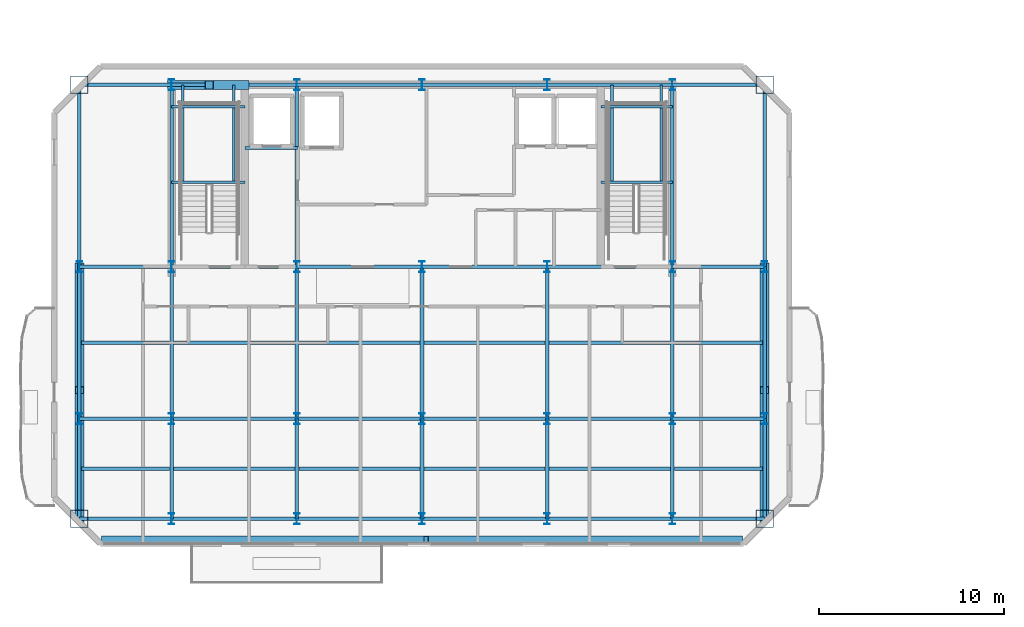
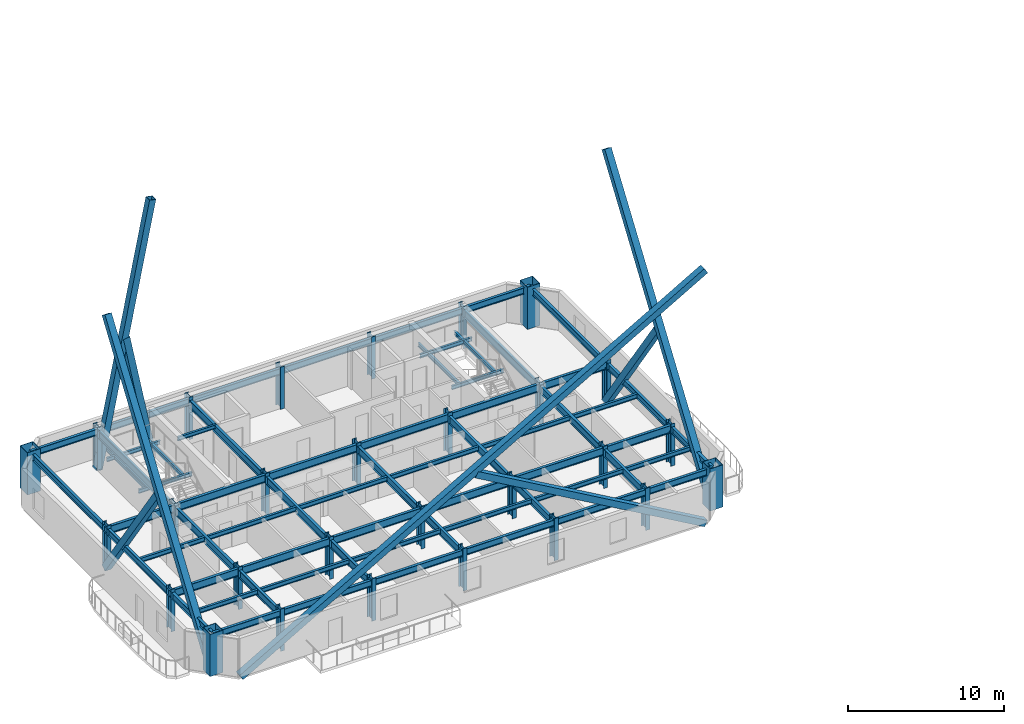
# One storey, part 1 of 9: 64 beams, 28 columns, 8 members.
"""IFC4 building model written with IfcOpenShell, lengths in metres."""

from ifc_helpers import new_model, si_unit, direction, frame, origin, origin_2d, place, context, subcontext, project, spatial, hollow_rectangle, i_section, extrude, material, material_profile, profile_set, type_object, element, save


model = new_model("IFC4")

# Units and contexts
model_context = context("Model", 3, precision=1e-05, world=origin(), true_north=direction((0.0, 1.0)))
body_context = subcontext(model_context, "Body", "Model", "MODEL_VIEW")
ifc_project = project(units=[si_unit("LENGTHUNIT", "METRE"), si_unit("AREAUNIT", "SQUARE_METRE"), si_unit("VOLUMEUNIT", "CUBIC_METRE"), si_unit("PLANEANGLEUNIT", "RADIAN"), si_unit("MASSUNIT", "GRAM", prefix="KILO")], contexts=[model_context])

# Site, building, storey
site_placement = place(None, origin())
site = spatial("IfcSite", under=ifc_project, at=site_placement, CompositionType="ELEMENT")
building_placement = place(site_placement, origin())
building = spatial("IfcBuilding", under=site, at=building_placement, Name="Haevon Station Towers", CompositionType="ELEMENT")
storey_placement = place(building_placement, frame((0.0, 0.0, 239.39990234375)))
storey = spatial("IfcBuildingStorey", under=building, at=storey_placement, Name="L66", CompositionType="ELEMENT", Elevation=239.39990234375)

# Columns
ifc_material_1 = material(Name="Steel S460", Category="steel")
ifc_material_profile_1 = material_profile(ifc_material_1, hollow_rectangle(XDim=0.949951171875, YDim=0.949951171875, WallThickness=0.028076171875, at=origin_2d()), Name="BOX-950x950x28")
ifc_profile_set_1 = profile_set([ifc_material_profile_1], Name="Steel S460")
column_type_1 = type_object("IfcColumnType", Name="COL-MC6", PredefinedType="COLUMN", material=ifc_profile_set_1)
for number, where, z_axis, x_axis, name in (
    (1, (19.02490234375, 24.60009765625, 0.0), (0.0, 0.0, 1.0), (1.0, 0.0, 0.0), "COL-T1-L66-01-01"),
    (2, (19.02490234375, 48.0, 0.0), (0.0, 0.0, 1.0), (1.0, 0.0, 0.0), "COL-T1-L66-01-04"),
    (3, (55.97509765625, 24.60009765625, 0.0), (0.0, 0.0, 1.0), (1.0, 0.0, 0.0), "COL-T1-L66-07-01"),
    (4, (55.97509765625, 48.0, 0.0), (0.0, 0.0, 1.0), (1.0, 0.0, 0.0), "COL-T1-L66-07-04"),
):
    element("IfcColumn", number, at=place(storey_placement, frame(where, z_axis=z_axis, x_axis=x_axis)), inside=storey, type_object=column_type_1, Name=name, PredefinedType="COLUMN", context=body_context, shape_type="SweptSolid", body=[
        extrude(hollow_rectangle(XDim=0.949951171875, YDim=0.949951171875, WallThickness=0.028076171875, at=origin_2d()), origin(), (0.0, 0.0, 1.0), 3.300048828125),
    ])
ifc_material_2 = material(Name="Steel S355", Category="steel")
ifc_material_profile_2 = material_profile(ifc_material_2, i_section(OverallWidth=0.300048828125, OverallDepth=0.60009765625, WebThickness=0.013916015625, FlangeThickness=0.02490234375, at=origin_2d()), Name="H-600x300x14x25")
ifc_profile_set_2 = profile_set([ifc_material_profile_2], Name="Steel S355")
column_type_2 = type_object("IfcColumnType", Name="COL-TW4", PredefinedType="COLUMN", material=ifc_profile_set_2)
for number, where, z_axis, x_axis, name in (
    (5, (19.02490234375, 30.0, 0.0), (0.0, 0.0, 1.0), (1.0, 0.0, 0.0), "COL-T1-L66-01-02"),
    (6, (19.02490234375, 38.199951171875, 0.0), (0.0, 0.0, 1.0), (1.0, 0.0, 0.0), "COL-T1-L66-01-03"),
    (7, (24.0, 24.60009765625, 0.0), (0.0, 0.0, 1.0), (1.0, 0.0, 0.0), "COL-T1-L66-02-01"),
    (8, (24.0, 30.0, 0.0), (0.0, 0.0, 1.0), (1.0, 0.0, 0.0), "COL-T1-L66-02-02"),
    (9, (24.0, 38.199951171875, 0.0), (0.0, 0.0, 1.0), (1.0, 0.0, 0.0), "COL-T1-L66-02-03"),
    (10, (24.0, 48.0, 0.0), (0.0, 0.0, 1.0), (1.0, 0.0, 0.0), "COL-T1-L66-02-04"),
    (11, (30.75, 24.60009765625, 0.0), (0.0, 0.0, 1.0), (1.0, 0.0, 0.0), "COL-T1-L66-03-01"),
    (12, (30.75, 30.0, 0.0), (0.0, 0.0, 1.0), (1.0, 0.0, 0.0), "COL-T1-L66-03-02"),
    (13, (30.75, 38.199951171875, 0.0), (0.0, 0.0, 1.0), (1.0, 0.0, 0.0), "COL-T1-L66-03-03"),
    (14, (30.75, 48.0, 0.0), (0.0, 0.0, 1.0), (1.0, 0.0, 0.0), "COL-T1-L66-03-04"),
    (15, (37.5, 24.60009765625, 0.0), (0.0, 0.0, 1.0), (1.0, 0.0, 0.0), "COL-T1-L66-04-01"),
    (16, (37.5, 30.0, 0.0), (0.0, 0.0, 1.0), (1.0, 0.0, 0.0), "COL-T1-L66-04-02"),
    (17, (37.5, 38.199951171875, 0.0), (0.0, 0.0, 1.0), (1.0, 0.0, 0.0), "COL-T1-L66-04-03"),
    (18, (37.5, 48.0, 0.0), (0.0, 0.0, 1.0), (1.0, 0.0, 0.0), "COL-T1-L66-04-04"),
    (19, (44.25, 24.60009765625, 0.0), (0.0, 0.0, 1.0), (1.0, 0.0, 0.0), "COL-T1-L66-05-01"),
    (20, (44.25, 30.0, 0.0), (0.0, 0.0, 1.0), (1.0, 0.0, 0.0), "COL-T1-L66-05-02"),
    (21, (44.25, 38.199951171875, 0.0), (0.0, 0.0, 1.0), (1.0, 0.0, 0.0), "COL-T1-L66-05-03"),
    (22, (44.25, 48.0, 0.0), (0.0, 0.0, 1.0), (1.0, 0.0, 0.0), "COL-T1-L66-05-04"),
    (23, (51.0, 24.60009765625, 0.0), (0.0, 0.0, 1.0), (1.0, 0.0, 0.0), "COL-T1-L66-06-01"),
    (24, (51.0, 30.0, 0.0), (0.0, 0.0, 1.0), (1.0, 0.0, 0.0), "COL-T1-L66-06-02"),
    (25, (51.0, 38.199951171875, 0.0), (0.0, 0.0, 1.0), (1.0, 0.0, 0.0), "COL-T1-L66-06-03"),
    (26, (51.0, 48.0, 0.0), (0.0, 0.0, 1.0), (1.0, 0.0, 0.0), "COL-T1-L66-06-04"),
    (27, (55.97509765625, 30.0, 0.0), (0.0, 0.0, 1.0), (1.0, 0.0, 0.0), "COL-T1-L66-07-02"),
    (28, (55.97509765625, 38.199951171875, 0.0), (0.0, 0.0, 1.0), (1.0, 0.0, 0.0), "COL-T1-L66-07-03"),
):
    element("IfcColumn", number, at=place(storey_placement, frame(where, z_axis=z_axis, x_axis=x_axis)), inside=storey, type_object=column_type_2, Name=name, PredefinedType="COLUMN", context=body_context, shape_type="SweptSolid", body=[
        extrude(i_section(OverallWidth=0.300048828125, OverallDepth=0.60009765625, WebThickness=0.013916015625, FlangeThickness=0.02490234375, at=origin_2d()), origin(), (0.0, 0.0, 1.0), 3.300048828125),
    ])

# Beams
ifc_material_profile_3 = material_profile(ifc_material_2, i_section(OverallWidth=0.199951171875, OverallDepth=0.60009765625, WebThickness=0.010986328125, FlangeThickness=0.01708984375, at=origin_2d()), Name="H-600x200x11x17")
ifc_profile_set_3 = profile_set([ifc_material_profile_3], Name="Steel S355")
beam_type_1 = type_object("IfcBeamType", Name="BM-G600", PredefinedType="BEAM", material=ifc_profile_set_3)
beam_1_placement = place(storey_placement, frame((19.02490234375, 30.0, 2.75), z_axis=(1.0, 0.0, 0.0), x_axis=(0.0, 1.0, 0.0)))
element("IfcBeam", 29, at=beam_1_placement, inside=storey, type_object=beam_type_1, Name="BM-T1U-L66-02-01", PredefinedType="BEAM", context=body_context, shape_type="SweptSolid", body=[
    extrude(i_section(OverallWidth=0.199951171875, OverallDepth=0.60009765625, WebThickness=0.010986328125, FlangeThickness=0.01708984375, at=origin_2d()), origin(), (0.0, 0.0, 1.0), 4.97509765625),
])
for number, where, z_axis, x_axis, name in (
    (30, (24.0, 30.0, 2.75), (1.0, 0.0, 0.0), (0.0, 1.0, 0.0), "BM-T1U-L66-02-02"),
    (31, (30.75, 30.0, 2.75), (1.0, 0.0, 0.0), (0.0, 1.0, 0.0), "BM-T1U-L66-02-03"),
    (32, (37.5, 30.0, 2.75), (1.0, 0.0, 0.0), (0.0, 1.0, 0.0), "BM-T1U-L66-02-04"),
    (33, (44.25, 30.0, 2.75), (1.0, 0.0, 0.0), (0.0, 1.0, 0.0), "BM-T1U-L66-02-05"),
):
    element("IfcBeam", number, at=place(storey_placement, frame(where, z_axis=z_axis, x_axis=x_axis)), inside=storey, type_object=beam_type_1, Name=name, PredefinedType="BEAM", context=body_context, shape_type="SweptSolid", body=[
        extrude(i_section(OverallWidth=0.199951171875, OverallDepth=0.60009765625, WebThickness=0.010986328125, FlangeThickness=0.01708984375, at=origin_2d()), origin(), (0.0, 0.0, 1.0), 6.75),
    ])
for number, where, z_axis, x_axis, name in (
    (34, (51.0, 30.0, 2.75), (1.0, 0.0, 0.0), (0.0, 1.0, 0.0), "BM-T1U-L66-02-06"),
    (35, (19.02490234375, 38.199951171875, 2.75), (1.0, 0.0, 0.0), (0.0, 1.0, 0.0), "BM-T1U-L66-03-01"),
):
    element("IfcBeam", number, at=place(storey_placement, frame(where, z_axis=z_axis, x_axis=x_axis)), inside=storey, type_object=beam_type_1, Name=name, PredefinedType="BEAM", context=body_context, shape_type="SweptSolid", body=[
        extrude(i_section(OverallWidth=0.199951171875, OverallDepth=0.60009765625, WebThickness=0.010986328125, FlangeThickness=0.01708984375, at=origin_2d()), origin(), (0.0, 0.0, 1.0), 4.97509765625),
    ])
for number, where, z_axis, x_axis, name in (
    (36, (24.0, 38.199951171875, 2.75), (1.0, 0.0, 0.0), (0.0, 1.0, 0.0), "BM-T1U-L66-03-02"),
    (37, (30.75, 38.199951171875, 2.75), (1.0, 0.0, 0.0), (0.0, 1.0, 0.0), "BM-T1U-L66-03-03"),
    (38, (37.5, 38.199951171875, 2.75), (1.0, 0.0, 0.0), (0.0, 1.0, 0.0), "BM-T1U-L66-03-04"),
    (39, (44.25, 38.199951171875, 2.75), (1.0, 0.0, 0.0), (0.0, 1.0, 0.0), "BM-T1U-L66-03-05"),
):
    element("IfcBeam", number, at=place(storey_placement, frame(where, z_axis=z_axis, x_axis=x_axis)), inside=storey, type_object=beam_type_1, Name=name, PredefinedType="BEAM", context=body_context, shape_type="SweptSolid", body=[
        extrude(i_section(OverallWidth=0.199951171875, OverallDepth=0.60009765625, WebThickness=0.010986328125, FlangeThickness=0.01708984375, at=origin_2d()), origin(), (0.0, 0.0, 1.0), 6.75),
    ])
beam_2_placement = place(storey_placement, frame((51.0, 38.199951171875, 2.75), z_axis=(1.0, 0.0, 0.0), x_axis=(0.0, 1.0, 0.0)))
element("IfcBeam", 40, at=beam_2_placement, inside=storey, type_object=beam_type_1, Name="BM-T1U-L66-03-06", PredefinedType="BEAM", context=body_context, shape_type="SweptSolid", body=[
    extrude(i_section(OverallWidth=0.199951171875, OverallDepth=0.60009765625, WebThickness=0.010986328125, FlangeThickness=0.01708984375, at=origin_2d()), origin(), (0.0, 0.0, 1.0), 4.97509765625),
])
beam_3_placement = place(storey_placement, frame((24.0, 24.60009765625, 2.75), z_axis=(0.0, 1.0, 0.0), x_axis=(-1.0, 0.0, 0.0)))
element("IfcBeam", 41, at=beam_3_placement, inside=storey, type_object=beam_type_1, Name="BM-T1V-L66-02-01", PredefinedType="BEAM", context=body_context, shape_type="SweptSolid", body=[
    extrude(i_section(OverallWidth=0.199951171875, OverallDepth=0.60009765625, WebThickness=0.010986328125, FlangeThickness=0.01708984375, at=origin_2d()), origin(), (0.0, 0.0, 1.0), 5.39990234375),
])
beam_4_placement = place(storey_placement, frame((24.0, 30.0, 2.75), z_axis=(0.0, 1.0, 0.0), x_axis=(-1.0, 0.0, 0.0)))
element("IfcBeam", 42, at=beam_4_placement, inside=storey, type_object=beam_type_1, Name="BM-T1V-L66-02-02", PredefinedType="BEAM", context=body_context, shape_type="SweptSolid", body=[
    extrude(i_section(OverallWidth=0.199951171875, OverallDepth=0.60009765625, WebThickness=0.010986328125, FlangeThickness=0.01708984375, at=origin_2d()), origin(), (0.0, 0.0, 1.0), 8.199951171875),
])
beam_5_placement = place(storey_placement, frame((24.0, 38.199951171875, 2.75), z_axis=(0.0, 1.0, 0.0), x_axis=(-1.0, 0.0, 0.0)))
element("IfcBeam", 43, at=beam_5_placement, inside=storey, type_object=beam_type_1, Name="BM-T1V-L66-02-03", PredefinedType="BEAM", context=body_context, shape_type="SweptSolid", body=[
    extrude(i_section(OverallWidth=0.199951171875, OverallDepth=0.60009765625, WebThickness=0.010986328125, FlangeThickness=0.01708984375, at=origin_2d()), origin(), (0.0, 0.0, 1.0), 9.800048828125),
])
beam_6_placement = place(storey_placement, frame((30.75, 24.60009765625, 2.75), z_axis=(0.0, 1.0, 0.0), x_axis=(-1.0, 0.0, 0.0)))
element("IfcBeam", 44, at=beam_6_placement, inside=storey, type_object=beam_type_1, Name="BM-T1V-L66-03-01", PredefinedType="BEAM", context=body_context, shape_type="SweptSolid", body=[
    extrude(i_section(OverallWidth=0.199951171875, OverallDepth=0.60009765625, WebThickness=0.010986328125, FlangeThickness=0.01708984375, at=origin_2d()), origin(), (0.0, 0.0, 1.0), 5.39990234375),
])
beam_7_placement = place(storey_placement, frame((30.75, 30.0, 2.75), z_axis=(0.0, 1.0, 0.0), x_axis=(-1.0, 0.0, 0.0)))
element("IfcBeam", 45, at=beam_7_placement, inside=storey, type_object=beam_type_1, Name="BM-T1V-L66-03-02", PredefinedType="BEAM", context=body_context, shape_type="SweptSolid", body=[
    extrude(i_section(OverallWidth=0.199951171875, OverallDepth=0.60009765625, WebThickness=0.010986328125, FlangeThickness=0.01708984375, at=origin_2d()), origin(), (0.0, 0.0, 1.0), 8.199951171875),
])
beam_8_placement = place(storey_placement, frame((30.75, 38.199951171875, 2.75), z_axis=(0.0, 1.0, 0.0), x_axis=(-1.0, 0.0, 0.0)))
element("IfcBeam", 46, at=beam_8_placement, inside=storey, type_object=beam_type_1, Name="BM-T1V-L66-03-03", PredefinedType="BEAM", context=body_context, shape_type="SweptSolid", body=[
    extrude(i_section(OverallWidth=0.199951171875, OverallDepth=0.60009765625, WebThickness=0.010986328125, FlangeThickness=0.01708984375, at=origin_2d()), origin(), (0.0, 0.0, 1.0), 9.800048828125),
])
beam_9_placement = place(storey_placement, frame((37.5, 24.60009765625, 2.75), z_axis=(0.0, 1.0, 0.0), x_axis=(-1.0, 0.0, 0.0)))
element("IfcBeam", 47, at=beam_9_placement, inside=storey, type_object=beam_type_1, Name="BM-T1V-L66-04-01", PredefinedType="BEAM", context=body_context, shape_type="SweptSolid", body=[
    extrude(i_section(OverallWidth=0.199951171875, OverallDepth=0.60009765625, WebThickness=0.010986328125, FlangeThickness=0.01708984375, at=origin_2d()), origin(), (0.0, 0.0, 1.0), 5.39990234375),
])
beam_10_placement = place(storey_placement, frame((37.5, 30.0, 2.75), z_axis=(0.0, 1.0, 0.0), x_axis=(-1.0, 0.0, 0.0)))
element("IfcBeam", 48, at=beam_10_placement, inside=storey, type_object=beam_type_1, Name="BM-T1V-L66-04-02", PredefinedType="BEAM", context=body_context, shape_type="SweptSolid", body=[
    extrude(i_section(OverallWidth=0.199951171875, OverallDepth=0.60009765625, WebThickness=0.010986328125, FlangeThickness=0.01708984375, at=origin_2d()), origin(), (0.0, 0.0, 1.0), 8.199951171875),
])
beam_11_placement = place(storey_placement, frame((44.25, 24.60009765625, 2.75), z_axis=(0.0, 1.0, 0.0), x_axis=(-1.0, 0.0, 0.0)))
element("IfcBeam", 49, at=beam_11_placement, inside=storey, type_object=beam_type_1, Name="BM-T1V-L66-05-01", PredefinedType="BEAM", context=body_context, shape_type="SweptSolid", body=[
    extrude(i_section(OverallWidth=0.199951171875, OverallDepth=0.60009765625, WebThickness=0.010986328125, FlangeThickness=0.01708984375, at=origin_2d()), origin(), (0.0, 0.0, 1.0), 5.39990234375),
])
beam_12_placement = place(storey_placement, frame((44.25, 30.0, 2.75), z_axis=(0.0, 1.0, 0.0), x_axis=(-1.0, 0.0, 0.0)))
element("IfcBeam", 50, at=beam_12_placement, inside=storey, type_object=beam_type_1, Name="BM-T1V-L66-05-02", PredefinedType="BEAM", context=body_context, shape_type="SweptSolid", body=[
    extrude(i_section(OverallWidth=0.199951171875, OverallDepth=0.60009765625, WebThickness=0.010986328125, FlangeThickness=0.01708984375, at=origin_2d()), origin(), (0.0, 0.0, 1.0), 8.199951171875),
])
beam_13_placement = place(storey_placement, frame((51.0, 24.60009765625, 2.75), z_axis=(0.0, 1.0, 0.0), x_axis=(-1.0, 0.0, 0.0)))
element("IfcBeam", 51, at=beam_13_placement, inside=storey, type_object=beam_type_1, Name="BM-T1V-L66-06-01", PredefinedType="BEAM", context=body_context, shape_type="SweptSolid", body=[
    extrude(i_section(OverallWidth=0.199951171875, OverallDepth=0.60009765625, WebThickness=0.010986328125, FlangeThickness=0.01708984375, at=origin_2d()), origin(), (0.0, 0.0, 1.0), 5.39990234375),
])
beam_14_placement = place(storey_placement, frame((51.0, 30.0, 2.75), z_axis=(0.0, 1.0, 0.0), x_axis=(-1.0, 0.0, 0.0)))
element("IfcBeam", 52, at=beam_14_placement, inside=storey, type_object=beam_type_1, Name="BM-T1V-L66-06-02", PredefinedType="BEAM", context=body_context, shape_type="SweptSolid", body=[
    extrude(i_section(OverallWidth=0.199951171875, OverallDepth=0.60009765625, WebThickness=0.010986328125, FlangeThickness=0.01708984375, at=origin_2d()), origin(), (0.0, 0.0, 1.0), 8.199951171875),
])
beam_15_placement = place(storey_placement, frame((51.0, 38.199951171875, 2.75), z_axis=(0.0, 1.0, 0.0), x_axis=(-1.0, 0.0, 0.0)))
element("IfcBeam", 53, at=beam_15_placement, inside=storey, type_object=beam_type_1, Name="BM-T1V-L66-06-03", PredefinedType="BEAM", context=body_context, shape_type="SweptSolid", body=[
    extrude(i_section(OverallWidth=0.199951171875, OverallDepth=0.60009765625, WebThickness=0.010986328125, FlangeThickness=0.01708984375, at=origin_2d()), origin(), (0.0, 0.0, 1.0), 9.800048828125),
])
ifc_material_profile_4 = material_profile(ifc_material_2, i_section(OverallWidth=0.175048828125, OverallDepth=0.35009765625, WebThickness=0.007080078125, FlangeThickness=0.010986328125, at=origin_2d()), Name="H-350x175x7x11")
ifc_profile_set_4 = profile_set([ifc_material_profile_4], Name="Steel S355")
beam_type_2 = type_object("IfcBeamType", Name="BM-J350", PredefinedType="JOIST", material=ifc_profile_set_4)
beam_16_placement = place(storey_placement, frame((19.135009765625, 27.300048828125, 2.875), z_axis=(1.0, 0.0, 0.0), x_axis=(0.0, 1.0, 0.0)))
element("IfcBeam", 54, at=beam_16_placement, inside=storey, type_object=beam_type_2, Name="BM-T1J-L66-01-01", PredefinedType="JOIST", context=body_context, shape_type="SweptSolid", body=[
    extrude(i_section(OverallWidth=0.175048828125, OverallDepth=0.35009765625, WebThickness=0.007080078125, FlangeThickness=0.010986328125, at=origin_2d()), origin(), (0.0, 0.0, 1.0), 4.7548828125),
])
for number, where, z_axis, x_axis, name in (
    (55, (24.110107421875, 27.300048828125, 2.875), (1.0, 0.0, 0.0), (0.0, 1.0, 0.0), "BM-T1J-L66-01-02"),
    (56, (30.860107421875, 27.300048828125, 2.875), (1.0, 0.0, 0.0), (0.0, 1.0, 0.0), "BM-T1J-L66-01-03"),
    (57, (37.610107421875, 27.300048828125, 2.875), (1.0, 0.0, 0.0), (0.0, 1.0, 0.0), "BM-T1J-L66-01-04"),
    (58, (44.360107421875, 27.300048828125, 2.875), (1.0, 0.0, 0.0), (0.0, 1.0, 0.0), "BM-T1J-L66-01-05"),
):
    element("IfcBeam", number, at=place(storey_placement, frame(where, z_axis=z_axis, x_axis=x_axis)), inside=storey, type_object=beam_type_2, Name=name, PredefinedType="JOIST", context=body_context, shape_type="SweptSolid", body=[
        extrude(i_section(OverallWidth=0.175048828125, OverallDepth=0.35009765625, WebThickness=0.007080078125, FlangeThickness=0.010986328125, at=origin_2d()), origin(), (0.0, 0.0, 1.0), 6.52978515625),
    ])
for number, where, z_axis, x_axis, name in (
    (59, (51.110107421875, 27.300048828125, 2.875), (1.0, 0.0, 0.0), (0.0, 1.0, 0.0), "BM-T1J-L66-01-06"),
    (60, (19.135009765625, 34.10009765625, 2.875), (1.0, 0.0, 0.0), (0.0, 1.0, 0.0), "BM-T1J-L66-02-01"),
):
    element("IfcBeam", number, at=place(storey_placement, frame(where, z_axis=z_axis, x_axis=x_axis)), inside=storey, type_object=beam_type_2, Name=name, PredefinedType="JOIST", context=body_context, shape_type="SweptSolid", body=[
        extrude(i_section(OverallWidth=0.175048828125, OverallDepth=0.35009765625, WebThickness=0.007080078125, FlangeThickness=0.010986328125, at=origin_2d()), origin(), (0.0, 0.0, 1.0), 4.7548828125),
    ])
for number, where, z_axis, x_axis, name in (
    (61, (24.110107421875, 34.10009765625, 2.875), (1.0, 0.0, 0.0), (0.0, 1.0, 0.0), "BM-T1J-L66-02-02"),
    (62, (30.860107421875, 34.10009765625, 2.875), (1.0, 0.0, 0.0), (0.0, 1.0, 0.0), "BM-T1J-L66-02-03"),
    (63, (37.610107421875, 34.10009765625, 2.875), (1.0, 0.0, 0.0), (0.0, 1.0, 0.0), "BM-T1J-L66-02-04"),
    (64, (44.360107421875, 34.10009765625, 2.875), (1.0, 0.0, 0.0), (0.0, 1.0, 0.0), "BM-T1J-L66-02-05"),
):
    element("IfcBeam", number, at=place(storey_placement, frame(where, z_axis=z_axis, x_axis=x_axis)), inside=storey, type_object=beam_type_2, Name=name, PredefinedType="JOIST", context=body_context, shape_type="SweptSolid", body=[
        extrude(i_section(OverallWidth=0.175048828125, OverallDepth=0.35009765625, WebThickness=0.007080078125, FlangeThickness=0.010986328125, at=origin_2d()), origin(), (0.0, 0.0, 1.0), 6.52978515625),
    ])
beam_17_placement = place(storey_placement, frame((51.110107421875, 34.10009765625, 2.875), z_axis=(1.0, 0.0, 0.0), x_axis=(0.0, 1.0, 0.0)))
element("IfcBeam", 65, at=beam_17_placement, inside=storey, type_object=beam_type_2, Name="BM-T1J-L66-02-06", PredefinedType="JOIST", context=body_context, shape_type="SweptSolid", body=[
    extrude(i_section(OverallWidth=0.175048828125, OverallDepth=0.35009765625, WebThickness=0.007080078125, FlangeThickness=0.010986328125, at=origin_2d()), origin(), (0.0, 0.0, 1.0), 4.7548828125),
])
ifc_material_profile_5 = material_profile(ifc_material_2, i_section(OverallWidth=0.14990234375, OverallDepth=0.300048828125, WebThickness=0.006591796875, FlangeThickness=0.009033203125, at=origin_2d()), Name="H-300x150x6.5x9")
ifc_profile_set_5 = profile_set([ifc_material_profile_5], Name="Steel S355")
beam_type_3 = type_object("IfcBeamType", Name="BM-LIN300", PredefinedType="LINTEL", material=ifc_profile_set_5)
for number, where, z_axis, x_axis, name in (
    (66, (24.0, 42.743896484375, 1.300048828125), (1.0, 0.0, 0.0), (0.0, 1.0, 0.0), "BM-ST1L-L66-1-S"),
    (67, (24.0, 46.820068359375, 1.300048828125), (1.0, 0.0, 0.0), (0.0, 1.0, 0.0), "BM-ST1L-L66-1-N"),
):
    element("IfcBeam", number, at=place(storey_placement, frame(where, z_axis=z_axis, x_axis=x_axis)), inside=storey, type_object=beam_type_3, Name=name, PredefinedType="LINTEL", context=body_context, shape_type="SweptSolid", body=[
        extrude(i_section(OverallWidth=0.14990234375, OverallDepth=0.300048828125, WebThickness=0.006591796875, FlangeThickness=0.009033203125, at=origin_2d()), origin(), (0.0, 0.0, 1.0), 3.949951171875),
    ])
for number, where, z_axis, x_axis, name in (
    (68, (24.60009765625, 42.743896484375, 1.300048828125), (0.0, 1.0, 0.0), (-1.0, 0.0, 0.0), "BM-ST1L-L66-1-W"),
    (69, (27.35009765625, 42.743896484375, 1.300048828125), (0.0, 1.0, 0.0), (-1.0, 0.0, 0.0), "BM-ST1L-L66-1-E"),
):
    element("IfcBeam", number, at=place(storey_placement, frame(where, z_axis=z_axis, x_axis=x_axis)), inside=storey, type_object=beam_type_3, Name=name, PredefinedType="LINTEL", context=body_context, shape_type="SweptSolid", body=[
        extrude(i_section(OverallWidth=0.14990234375, OverallDepth=0.300048828125, WebThickness=0.006591796875, FlangeThickness=0.009033203125, at=origin_2d()), origin(), (0.0, 0.0, 1.0), 5.256103515625),
    ])
for number, where, z_axis, x_axis, name in (
    (70, (47.14990234375, 42.743896484375, 1.300048828125), (1.0, 0.0, 0.0), (0.0, 1.0, 0.0), "BM-ST2L-L66-1-S"),
    (71, (47.14990234375, 46.820068359375, 1.300048828125), (1.0, 0.0, 0.0), (0.0, 1.0, 0.0), "BM-ST2L-L66-1-N"),
):
    element("IfcBeam", number, at=place(storey_placement, frame(where, z_axis=z_axis, x_axis=x_axis)), inside=storey, type_object=beam_type_3, Name=name, PredefinedType="LINTEL", context=body_context, shape_type="SweptSolid", body=[
        extrude(i_section(OverallWidth=0.14990234375, OverallDepth=0.300048828125, WebThickness=0.006591796875, FlangeThickness=0.009033203125, at=origin_2d()), origin(), (0.0, 0.0, 1.0), 3.85009765625),
    ])
for number, where, z_axis, x_axis, name in (
    (72, (47.75, 42.743896484375, 1.300048828125), (0.0, 1.0, 0.0), (-1.0, 0.0, 0.0), "BM-ST2L-L66-1-W"),
    (73, (50.39990234375, 42.743896484375, 1.300048828125), (0.0, 1.0, 0.0), (-1.0, 0.0, 0.0), "BM-ST2L-L66-1-E"),
):
    element("IfcBeam", number, at=place(storey_placement, frame(where, z_axis=z_axis, x_axis=x_axis)), inside=storey, type_object=beam_type_3, Name=name, PredefinedType="LINTEL", context=body_context, shape_type="SweptSolid", body=[
        extrude(i_section(OverallWidth=0.14990234375, OverallDepth=0.300048828125, WebThickness=0.006591796875, FlangeThickness=0.009033203125, at=origin_2d()), origin(), (0.0, 0.0, 1.0), 5.256103515625),
    ])
beam_18_placement = place(storey_placement, frame((27.949951171875, 44.60009765625, 2.900146484375), z_axis=(1.0, 0.0, 0.0), x_axis=(0.0, 1.0, 0.0)))
element("IfcBeam", 74, at=beam_18_placement, inside=storey, type_object=beam_type_3, Name="BM-T1LIN-L66", PredefinedType="LINTEL", context=body_context, shape_type="SweptSolid", body=[
    extrude(i_section(OverallWidth=0.14990234375, OverallDepth=0.300048828125, WebThickness=0.006591796875, FlangeThickness=0.009033203125, at=origin_2d()), origin(), (0.0, 0.0, 1.0), 2.85009765625),
])
ifc_material_profile_6 = material_profile(ifc_material_2, i_section(OverallWidth=0.199951171875, OverallDepth=0.5, WebThickness=0.010009765625, FlangeThickness=0.01611328125, at=origin_2d()), Name="H-500x200x10x16")
ifc_profile_set_6 = profile_set([ifc_material_profile_6], Name="Steel S355")
beam_type_4 = type_object("IfcBeamType", Name="BM-SP500", PredefinedType="SPANDREL", material=ifc_profile_set_6)
beam_19_placement = place(storey_placement, frame((19.02490234375, 24.60009765625, 2.800048828125), z_axis=(1.0, 0.0, 0.0), x_axis=(0.0, 1.0, 0.0)))
element("IfcBeam", 75, at=beam_19_placement, inside=storey, type_object=beam_type_4, Name="BM-T1U-L66-01-01", PredefinedType="SPANDREL", context=body_context, shape_type="SweptSolid", body=[
    extrude(i_section(OverallWidth=0.199951171875, OverallDepth=0.5, WebThickness=0.010009765625, FlangeThickness=0.01611328125, at=origin_2d()), origin(), (0.0, 0.0, 1.0), 4.97509765625),
])
for number, where, z_axis, x_axis, name in (
    (76, (24.0, 24.60009765625, 2.800048828125), (1.0, 0.0, 0.0), (0.0, 1.0, 0.0), "BM-T1U-L66-01-02"),
    (77, (30.75, 24.60009765625, 2.800048828125), (1.0, 0.0, 0.0), (0.0, 1.0, 0.0), "BM-T1U-L66-01-03"),
    (78, (37.5, 24.60009765625, 2.800048828125), (1.0, 0.0, 0.0), (0.0, 1.0, 0.0), "BM-T1U-L66-01-04"),
    (79, (44.25, 24.60009765625, 2.800048828125), (1.0, 0.0, 0.0), (0.0, 1.0, 0.0), "BM-T1U-L66-01-05"),
):
    element("IfcBeam", number, at=place(storey_placement, frame(where, z_axis=z_axis, x_axis=x_axis)), inside=storey, type_object=beam_type_4, Name=name, PredefinedType="SPANDREL", context=body_context, shape_type="SweptSolid", body=[
        extrude(i_section(OverallWidth=0.199951171875, OverallDepth=0.5, WebThickness=0.010009765625, FlangeThickness=0.01611328125, at=origin_2d()), origin(), (0.0, 0.0, 1.0), 6.75),
    ])
for number, where, z_axis, x_axis, name in (
    (80, (51.0, 24.60009765625, 2.800048828125), (1.0, 0.0, 0.0), (0.0, 1.0, 0.0), "BM-T1U-L66-01-06"),
    (81, (19.02490234375, 48.0, 2.800048828125), (1.0, 0.0, 0.0), (0.0, 1.0, 0.0), "BM-T1U-L66-04-01"),
):
    element("IfcBeam", number, at=place(storey_placement, frame(where, z_axis=z_axis, x_axis=x_axis)), inside=storey, type_object=beam_type_4, Name=name, PredefinedType="SPANDREL", context=body_context, shape_type="SweptSolid", body=[
        extrude(i_section(OverallWidth=0.199951171875, OverallDepth=0.5, WebThickness=0.010009765625, FlangeThickness=0.01611328125, at=origin_2d()), origin(), (0.0, 0.0, 1.0), 4.97509765625),
    ])
for number, where, z_axis, x_axis, name in (
    (82, (24.0, 48.0, 2.800048828125), (1.0, 0.0, 0.0), (0.0, 1.0, 0.0), "BM-T1U-L66-04-02"),
    (83, (30.75, 48.0, 2.800048828125), (1.0, 0.0, 0.0), (0.0, 1.0, 0.0), "BM-T1U-L66-04-03"),
    (84, (37.5, 48.0, 2.800048828125), (1.0, 0.0, 0.0), (0.0, 1.0, 0.0), "BM-T1U-L66-04-04"),
    (85, (44.25, 48.0, 2.800048828125), (1.0, 0.0, 0.0), (0.0, 1.0, 0.0), "BM-T1U-L66-04-05"),
):
    element("IfcBeam", number, at=place(storey_placement, frame(where, z_axis=z_axis, x_axis=x_axis)), inside=storey, type_object=beam_type_4, Name=name, PredefinedType="SPANDREL", context=body_context, shape_type="SweptSolid", body=[
        extrude(i_section(OverallWidth=0.199951171875, OverallDepth=0.5, WebThickness=0.010009765625, FlangeThickness=0.01611328125, at=origin_2d()), origin(), (0.0, 0.0, 1.0), 6.75),
    ])
beam_20_placement = place(storey_placement, frame((51.0, 48.0, 2.800048828125), z_axis=(1.0, 0.0, 0.0), x_axis=(0.0, 1.0, 0.0)))
element("IfcBeam", 86, at=beam_20_placement, inside=storey, type_object=beam_type_4, Name="BM-T1U-L66-04-06", PredefinedType="SPANDREL", context=body_context, shape_type="SweptSolid", body=[
    extrude(i_section(OverallWidth=0.199951171875, OverallDepth=0.5, WebThickness=0.010009765625, FlangeThickness=0.01611328125, at=origin_2d()), origin(), (0.0, 0.0, 1.0), 4.97509765625),
])
beam_21_placement = place(storey_placement, frame((19.02490234375, 24.60009765625, 2.800048828125), z_axis=(0.0, 1.0, 0.0), x_axis=(-1.0, 0.0, 0.0)))
element("IfcBeam", 87, at=beam_21_placement, inside=storey, type_object=beam_type_4, Name="BM-T1V-L66-01-01", PredefinedType="SPANDREL", context=body_context, shape_type="SweptSolid", body=[
    extrude(i_section(OverallWidth=0.199951171875, OverallDepth=0.5, WebThickness=0.010009765625, FlangeThickness=0.01611328125, at=origin_2d()), origin(), (0.0, 0.0, 1.0), 5.39990234375),
])
beam_22_placement = place(storey_placement, frame((19.02490234375, 30.0, 2.800048828125), z_axis=(0.0, 1.0, 0.0), x_axis=(-1.0, 0.0, 0.0)))
element("IfcBeam", 88, at=beam_22_placement, inside=storey, type_object=beam_type_4, Name="BM-T1V-L66-01-02", PredefinedType="SPANDREL", context=body_context, shape_type="SweptSolid", body=[
    extrude(i_section(OverallWidth=0.199951171875, OverallDepth=0.5, WebThickness=0.010009765625, FlangeThickness=0.01611328125, at=origin_2d()), origin(), (0.0, 0.0, 1.0), 8.199951171875),
])
beam_23_placement = place(storey_placement, frame((19.02490234375, 38.199951171875, 2.800048828125), z_axis=(0.0, 1.0, 0.0), x_axis=(-1.0, 0.0, 0.0)))
element("IfcBeam", 89, at=beam_23_placement, inside=storey, type_object=beam_type_4, Name="BM-T1V-L66-01-03", PredefinedType="SPANDREL", context=body_context, shape_type="SweptSolid", body=[
    extrude(i_section(OverallWidth=0.199951171875, OverallDepth=0.5, WebThickness=0.010009765625, FlangeThickness=0.01611328125, at=origin_2d()), origin(), (0.0, 0.0, 1.0), 9.800048828125),
])
beam_24_placement = place(storey_placement, frame((55.97509765625, 24.60009765625, 2.800048828125), z_axis=(0.0, 1.0, 0.0), x_axis=(-1.0, 0.0, 0.0)))
element("IfcBeam", 90, at=beam_24_placement, inside=storey, type_object=beam_type_4, Name="BM-T1V-L66-07-01", PredefinedType="SPANDREL", context=body_context, shape_type="SweptSolid", body=[
    extrude(i_section(OverallWidth=0.199951171875, OverallDepth=0.5, WebThickness=0.010009765625, FlangeThickness=0.01611328125, at=origin_2d()), origin(), (0.0, 0.0, 1.0), 5.39990234375),
])
beam_25_placement = place(storey_placement, frame((55.97509765625, 30.0, 2.800048828125), z_axis=(0.0, 1.0, 0.0), x_axis=(-1.0, 0.0, 0.0)))
element("IfcBeam", 91, at=beam_25_placement, inside=storey, type_object=beam_type_4, Name="BM-T1V-L66-07-02", PredefinedType="SPANDREL", context=body_context, shape_type="SweptSolid", body=[
    extrude(i_section(OverallWidth=0.199951171875, OverallDepth=0.5, WebThickness=0.010009765625, FlangeThickness=0.01611328125, at=origin_2d()), origin(), (0.0, 0.0, 1.0), 8.199951171875),
])
beam_26_placement = place(storey_placement, frame((55.97509765625, 38.199951171875, 2.800048828125), z_axis=(0.0, 1.0, 0.0), x_axis=(-1.0, 0.0, 0.0)))
element("IfcBeam", 92, at=beam_26_placement, inside=storey, type_object=beam_type_4, Name="BM-T1V-L66-07-03", PredefinedType="SPANDREL", context=body_context, shape_type="SweptSolid", body=[
    extrude(i_section(OverallWidth=0.199951171875, OverallDepth=0.5, WebThickness=0.010009765625, FlangeThickness=0.01611328125, at=origin_2d()), origin(), (0.0, 0.0, 1.0), 9.800048828125),
])

# Members
ifc_material_profile_7 = material_profile(ifc_material_1, hollow_rectangle(XDim=0.47998046875, YDim=0.47998046875, WallThickness=0.02490234375, at=origin_2d()), Name="RHS-480x480x25")
ifc_profile_set_7 = profile_set([ifc_material_profile_7], Name="Steel S460")
member_type = type_object("IfcMemberType", Name="MB-480", PredefinedType="BRACE", material=ifc_profile_set_7)
member_1_placement = place(storey_placement, frame((20.324951171875, 23.429931640625, -0.119873046875), z_axis=(0.866702194671, 0.0, 0.498825927306), x_axis=(0.0, 1.0, 0.0)))
element("IfcMember", 93, at=member_1_placement, inside=storey, type_object=member_type, Name="BR-T1MB-T10-S-D1", PredefinedType="BRACE", context=body_context, shape_type="SweptSolid", body=[
    extrude(hollow_rectangle(XDim=0.47998046875, YDim=0.47998046875, WallThickness=0.02490234375, at=origin_2d()), origin(), (0.0, 0.0, 1.0), 39.633056640625),
])
member_2_placement = place(storey_placement, frame((54.675048828125, 23.429931640625, -0.119873046875), z_axis=(-0.866701587293, 0.0, 0.498826982614), x_axis=(0.0, -1.0, 0.0)))
element("IfcMember", 94, at=member_2_placement, inside=storey, type_object=member_type, Name="BR-T1MB-T10-S-D2A", PredefinedType="BRACE", context=body_context, shape_type="SweptSolid", body=[
    extrude(hollow_rectangle(XDim=0.47998046875, YDim=0.47998046875, WallThickness=0.02490234375, at=origin_2d()), origin(), (0.0, 0.0, 1.0), 19.564453125),
])
member_3_placement = place(storey_placement, frame((24.0, 48.0, -0.119873046875), z_axis=(0.19592284188, 0.0, 0.98061931453), x_axis=(0.0, 1.0, 0.0)))
element("IfcMember", 95, at=member_3_placement, inside=storey, type_object=member_type, Name="BR-T1MB-T10-N-D1", PredefinedType="BRACE", context=body_context, shape_type="SweptSolid", body=[
    extrude(hollow_rectangle(XDim=0.47998046875, YDim=0.47998046875, WallThickness=0.02490234375, at=origin_2d()), origin(), (0.0, 0.0, 1.0), 20.16064453125),
])
member_4_placement = place(storey_placement, frame((27.949951171875, 48.0, -0.119873046875), z_axis=(-0.195915497788, 0.0, 0.980620781815), x_axis=(0.0, -1.0, 0.0)))
element("IfcMember", 96, at=member_4_placement, inside=storey, type_object=member_type, Name="BR-T1MB-T10-N-D2A", PredefinedType="BRACE", context=body_context, shape_type="SweptSolid", body=[
    extrude(hollow_rectangle(XDim=0.47998046875, YDim=0.47998046875, WallThickness=0.02490234375, at=origin_2d()), origin(), (0.0, 0.0, 1.0), 9.828369140625),
])
member_5_placement = place(storey_placement, frame((19.02490234375, 24.60009765625, -0.119873046875), z_axis=(0.0, 0.56675419951, 0.823886932375), x_axis=(-1.0, 0.0, 0.0)))
element("IfcMember", 97, at=member_5_placement, inside=storey, type_object=member_type, Name="BR-T1MB-T10-W-D1", PredefinedType="BRACE", context=body_context, shape_type="SweptSolid", body=[
    extrude(hollow_rectangle(XDim=0.47998046875, YDim=0.47998046875, WallThickness=0.02490234375, at=origin_2d()), origin(), (0.0, 0.0, 1.0), 23.99609375),
])
member_6_placement = place(storey_placement, frame((19.02490234375, 38.199951171875, -0.119873046875), z_axis=(0.0, -0.566766972837, 0.82387814542), x_axis=(1.0, 0.0, 0.0)))
element("IfcMember", 98, at=member_6_placement, inside=storey, type_object=member_type, Name="BR-T1MB-T10-W-D2A", PredefinedType="BRACE", context=body_context, shape_type="SweptSolid", body=[
    extrude(hollow_rectangle(XDim=0.47998046875, YDim=0.47998046875, WallThickness=0.02490234375, at=origin_2d()), origin(), (0.0, 0.0, 1.0), 11.745849609375),
])
member_7_placement = place(storey_placement, frame((55.97509765625, 24.60009765625, -0.119873046875), z_axis=(0.0, 0.56675419951, 0.823886932375), x_axis=(-1.0, 0.0, 0.0)))
element("IfcMember", 99, at=member_7_placement, inside=storey, type_object=member_type, Name="BR-T1MB-T10-E-D1", PredefinedType="BRACE", context=body_context, shape_type="SweptSolid", body=[
    extrude(hollow_rectangle(XDim=0.47998046875, YDim=0.47998046875, WallThickness=0.02490234375, at=origin_2d()), origin(), (0.0, 0.0, 1.0), 23.99609375),
])
member_8_placement = place(storey_placement, frame((55.97509765625, 38.199951171875, -0.119873046875), z_axis=(0.0, -0.566766972837, 0.82387814542), x_axis=(1.0, 0.0, 0.0)))
element("IfcMember", 100, at=member_8_placement, inside=storey, type_object=member_type, Name="BR-T1MB-T10-E-D2A", PredefinedType="BRACE", context=body_context, shape_type="SweptSolid", body=[
    extrude(hollow_rectangle(XDim=0.47998046875, YDim=0.47998046875, WallThickness=0.02490234375, at=origin_2d()), origin(), (0.0, 0.0, 1.0), 11.745849609375),
])

save(model, "model.ifc")
